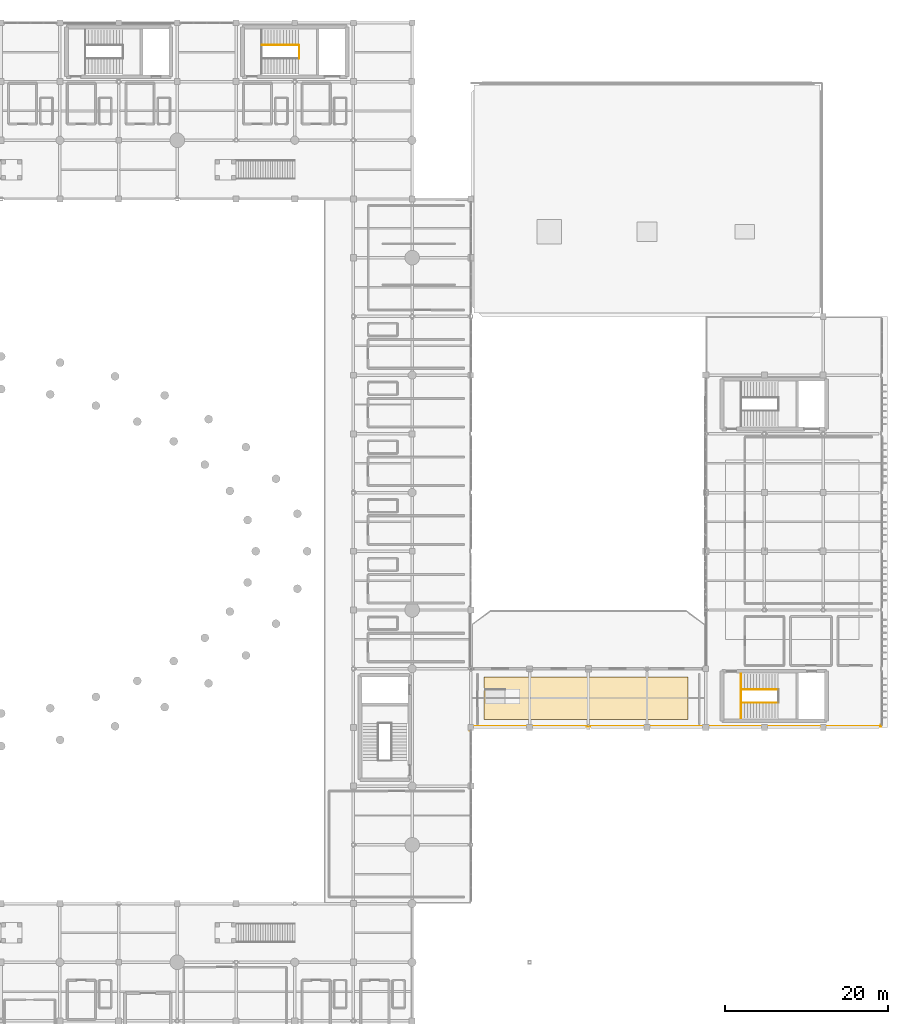
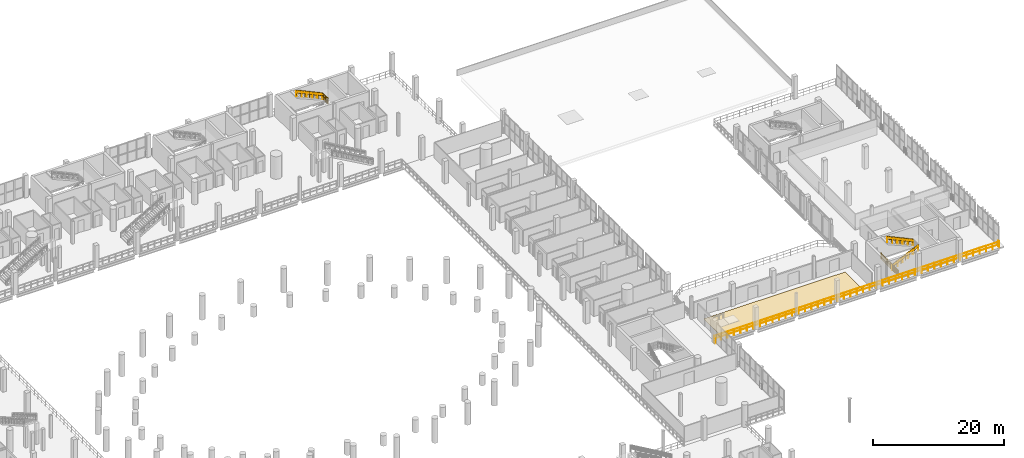
# One storey, part 127 of 130: 9 railings, 1 covering.
"""IFC4 building model written with IfcOpenShell, lengths in metres."""

from ifc_helpers import new_model, si_unit, direction, frame, origin, origin_2d, place, context, subcontext, project, spatial, polyline, circle, outline, extrude, material, layer, layer_set, type_object, element, save


model = new_model("IFC4")

# Units and contexts
model_context = context("Model", 3, precision=1e-05, world=origin(), true_north=direction((0.0, 1.0)))
body_context = subcontext(model_context, "Body", "Model", "MODEL_VIEW")
ifc_project = project(units=[si_unit("LENGTHUNIT", "METRE"), si_unit("AREAUNIT", "SQUARE_METRE"), si_unit("VOLUMEUNIT", "CUBIC_METRE"), si_unit("PLANEANGLEUNIT", "RADIAN"), si_unit("MASSUNIT", "GRAM", prefix="KILO")], contexts=[model_context])

# Site, building, storey
site_placement = place(None, origin())
site = spatial("IfcSite", under=ifc_project, at=site_placement, CompositionType="ELEMENT")
building_placement = place(site_placement, origin())
building = spatial("IfcBuilding", under=site, at=building_placement, Name="Qandorah Velis Arena", CompositionType="ELEMENT")
storey_placement = place(building_placement, frame((0.0, 0.0, 9.60009765625)))
storey = spatial("IfcBuildingStorey", under=building, at=storey_placement, Name="L02", CompositionType="ELEMENT", Elevation=9.60009765625)

# Covering
ifc_material_1 = material(Name="Polished Riyadh limestone terrazzo flooring", Category="masonry")
ifc_layer = layer(ifc_material_1, 0.034912109375)
ifc_layer_set = layer_set([ifc_layer], Name="Polished Riyadh limestone terrazzo flooring")
covering_type = type_object("IfcCoveringType", Name="ARC-COV-FLOOR", PredefinedType="FLOORING", material=ifc_layer_set)
covering_placement = place(storey_placement, origin())
element("IfcCovering", 1, at=covering_placement, inside=storey, type_object=covering_type, Name="Polished terrazzo concourse flooring TF-04", PredefinedType="FLOORING", context=body_context, shape_type="SweptSolid", body=[
    extrude(outline(polyline([(124.0, 44.199951171875), (149.0, 44.199951171875), (149.0, 49.39990234375), (124.0, 49.39990234375), (124.0, 44.199951171875)])), origin(), (0.0, 0.0, 1.0), 0.034912109375),
])

# Railings
ifc_material_2 = material(Name="Stainless steel 316", Category="steel")
railing_type_1 = type_object("IfcRailingType", Name="ARC-RL-GRD1150", PredefinedType="GUARDRAIL", material=ifc_material_2)
railing_1_placement = place(storey_placement, frame((155.510009765625, 44.360107421875, 0.0)))
element("IfcRailing", 2, at=railing_1_placement, inside=storey, type_object=railing_type_1, Name="Stair ST7 landing well-slot guardrail L02", PredefinedType="GUARDRAIL", context=body_context, shape_type="SweptSolid", body=[
    extrude(circle(Radius=0.02392578125, at=origin_2d()), frame((0.0, 0.0, 1.1259765625), z_axis=(0.0, 1.0, 0.0), x_axis=(-1.0, 0.0, 0.0)), (0.0, 0.0, 1.0), 5.3798828125),
    extrude(circle(Radius=0.02392578125, at=origin_2d()), frame((0.0, 0.0, 0.597900390625), z_axis=(0.0, 1.0, 0.0), x_axis=(-1.0, 0.0, 0.0)), (0.0, 0.0, 1.0), 5.3798828125),
    extrude(circle(Radius=0.02099609375, at=origin_2d()), origin(), (0.0, 0.0, 1.0), 1.101806640625),
    extrude(circle(Radius=0.02099609375, at=origin_2d()), frame((0.0, 0.298828125, 0.0)), (0.0, 0.0, 1.0), 1.101806640625),
    extrude(circle(Radius=0.02099609375, at=origin_2d()), frame((0.0, 0.59765625, 0.0)), (0.0, 0.0, 1.0), 1.101806640625),
    extrude(circle(Radius=0.02099609375, at=origin_2d()), frame((0.0, 0.896728515625, 0.0)), (0.0, 0.0, 1.0), 1.101806640625),
    extrude(circle(Radius=0.02099609375, at=origin_2d()), frame((0.0, 1.195556640625, 0.0)), (0.0, 0.0, 1.0), 1.101806640625),
    extrude(circle(Radius=0.02099609375, at=origin_2d()), frame((0.0, 1.494384765625, 0.0)), (0.0, 0.0, 1.0), 1.101806640625),
    extrude(circle(Radius=0.02099609375, at=origin_2d()), frame((0.0, 1.793212890625, 0.0)), (0.0, 0.0, 1.0), 1.101806640625),
    extrude(circle(Radius=0.02099609375, at=origin_2d()), frame((0.0, 2.09228515625, 0.0)), (0.0, 0.0, 1.0), 1.101806640625),
    extrude(circle(Radius=0.02099609375, at=origin_2d()), frame((0.0, 2.39111328125, 0.0)), (0.0, 0.0, 1.0), 1.101806640625),
    extrude(circle(Radius=0.02099609375, at=origin_2d()), frame((0.0, 2.68994140625, 0.0)), (0.0, 0.0, 1.0), 1.101806640625),
    extrude(circle(Radius=0.02099609375, at=origin_2d()), frame((0.0, 2.98876953125, 0.0)), (0.0, 0.0, 1.0), 1.101806640625),
    extrude(circle(Radius=0.02099609375, at=origin_2d()), frame((0.0, 3.28759765625, 0.0)), (0.0, 0.0, 1.0), 1.101806640625),
    extrude(circle(Radius=0.02099609375, at=origin_2d()), frame((0.0, 3.586669921875, 0.0)), (0.0, 0.0, 1.0), 1.101806640625),
    extrude(circle(Radius=0.02099609375, at=origin_2d()), frame((0.0, 3.885498046875, 0.0)), (0.0, 0.0, 1.0), 1.101806640625),
    extrude(circle(Radius=0.02099609375, at=origin_2d()), frame((0.0, 4.184326171875, 0.0)), (0.0, 0.0, 1.0), 1.101806640625),
    extrude(circle(Radius=0.02099609375, at=origin_2d()), frame((0.0, 4.483154296875, 0.0)), (0.0, 0.0, 1.0), 1.101806640625),
    extrude(circle(Radius=0.02099609375, at=origin_2d()), frame((0.0, 4.7822265625, 0.0)), (0.0, 0.0, 1.0), 1.101806640625),
    extrude(circle(Radius=0.02099609375, at=origin_2d()), frame((0.0, 5.0810546875, 0.0)), (0.0, 0.0, 1.0), 1.101806640625),
    extrude(circle(Radius=0.02099609375, at=origin_2d()), frame((0.0, 5.3798828125, 0.0)), (0.0, 0.0, 1.0), 1.101806640625),
])
railing_2_placement = place(storey_placement, frame((155.550048828125, 46.22998046875, 0.0)))
element("IfcRailing", 3, at=railing_2_placement, inside=storey, type_object=railing_type_1, Name="Stair ST7 inner flight 1 guardrail (L02)", PredefinedType="GUARDRAIL", context=body_context, shape_type="SweptSolid", body=[
    extrude(circle(Radius=0.02392578125, at=origin_2d()), frame((0.0, 0.0, 1.1259765625), z_axis=(0.907474148765, 0.0, 0.420107925805), x_axis=(0.0, 1.0, 0.0)), (0.0, 0.0, 1.0), 4.998291015625),
    extrude(circle(Radius=0.02392578125, at=origin_2d()), frame((0.0, 0.0, 0.597900390625), z_axis=(0.907474148765, 0.0, 0.420107925805), x_axis=(0.0, 1.0, 0.0)), (0.0, 0.0, 1.0), 4.998291015625),
    extrude(circle(Radius=0.02099609375, at=origin_2d()), origin(), (0.0, 0.0, 1.0), 1.101806640625),
    extrude(circle(Radius=0.02099609375, at=origin_2d()), frame((0.755859375, 0.0, 0.35009765625)), (0.0, 0.0, 1.0), 1.101806640625),
    extrude(circle(Radius=0.02099609375, at=origin_2d()), frame((1.511962890625, 0.0, 0.699951171875)), (0.0, 0.0, 1.0), 1.101806640625),
    extrude(circle(Radius=0.02099609375, at=origin_2d()), frame((2.26806640625, 0.0, 1.0498046875)), (0.0, 0.0, 1.0), 1.101806640625),
    extrude(circle(Radius=0.02099609375, at=origin_2d()), frame((3.02392578125, 0.0, 1.39990234375)), (0.0, 0.0, 1.0), 1.101806640625),
    extrude(circle(Radius=0.02099609375, at=origin_2d()), frame((3.77978515625, 0.0, 1.75)), (0.0, 0.0, 1.0), 1.101806640625),
    extrude(circle(Radius=0.02099609375, at=origin_2d()), frame((4.535888671875, 0.0, 2.099853515625)), (0.0, 0.0, 1.0), 1.101806640625),
])
railing_3_placement = place(storey_placement, frame((160.0859375, 47.8701171875, 2.099853515625)))
element("IfcRailing", 4, at=railing_3_placement, inside=storey, type_object=railing_type_1, Name="Stair ST7 inner flight 2 guardrail (L02)", PredefinedType="GUARDRAIL", context=body_context, shape_type="SweptSolid", body=[
    extrude(circle(Radius=0.02392578125, at=origin_2d()), frame((0.0, 0.0, 1.1259765625), z_axis=(-0.907455527081, 0.0, 0.420148148122), x_axis=(0.0, -1.0, 0.0)), (0.0, 0.0, 1.0), 4.99853515625),
    extrude(circle(Radius=0.02392578125, at=origin_2d()), frame((0.0, 0.0, 0.597900390625), z_axis=(-0.907455527081, 0.0, 0.420148148122), x_axis=(0.0, -1.0, 0.0)), (0.0, 0.0, 1.0), 4.99853515625),
    extrude(circle(Radius=0.02099609375, at=origin_2d()), origin(), (0.0, 0.0, 1.0), 1.101806640625),
    extrude(circle(Radius=0.02099609375, at=origin_2d()), frame((-0.755859375, 0.0, 0.35009765625)), (0.0, 0.0, 1.0), 1.101806640625),
    extrude(circle(Radius=0.02099609375, at=origin_2d()), frame((-1.511962890625, 0.0, 0.699951171875)), (0.0, 0.0, 1.0), 1.101806640625),
    extrude(circle(Radius=0.02099609375, at=origin_2d()), frame((-2.26806640625, 0.0, 1.050048828125)), (0.0, 0.0, 1.0), 1.101806640625),
    extrude(circle(Radius=0.02099609375, at=origin_2d()), frame((-3.02392578125, 0.0, 1.400146484375)), (0.0, 0.0, 1.0), 1.101806640625),
    extrude(circle(Radius=0.02099609375, at=origin_2d()), frame((-3.77978515625, 0.0, 1.75)), (0.0, 0.0, 1.0), 1.101806640625),
    extrude(circle(Radius=0.02099609375, at=origin_2d()), frame((-4.535888671875, 0.0, 2.10009765625)), (0.0, 0.0, 1.0), 1.101806640625),
])
railing_4_placement = place(storey_placement, frame((101.345947265625, 125.239990234375, 2.099853515625)))
element("IfcRailing", 5, at=railing_4_placement, inside=storey, type_object=railing_type_1, Name="Stair ST12 well guardrail (L02)", PredefinedType="GUARDRAIL", context=body_context, shape_type="SweptSolid", body=[
    extrude(circle(Radius=0.02392578125, at=origin_2d()), frame((0.0, 0.0, 1.1259765625), z_axis=(0.0, 1.0, 0.0), x_axis=(-1.0, 0.0, 0.0)), (0.0, 0.0, 1.0), 1.6201171875),
    extrude(circle(Radius=0.02392578125, at=origin_2d()), frame((0.0, 0.0, 0.597900390625), z_axis=(0.0, 1.0, 0.0), x_axis=(-1.0, 0.0, 0.0)), (0.0, 0.0, 1.0), 1.6201171875),
    extrude(circle(Radius=0.02099609375, at=origin_2d()), origin(), (0.0, 0.0, 1.0), 1.101806640625),
    extrude(circle(Radius=0.02099609375, at=origin_2d()), frame((0.0, 0.27001953125, 0.0)), (0.0, 0.0, 1.0), 1.101806640625),
    extrude(circle(Radius=0.02099609375, at=origin_2d()), frame((0.0, 0.5400390625, 0.0)), (0.0, 0.0, 1.0), 1.101806640625),
    extrude(circle(Radius=0.02099609375, at=origin_2d()), frame((0.0, 0.81005859375, 0.0)), (0.0, 0.0, 1.0), 1.101806640625),
    extrude(circle(Radius=0.02099609375, at=origin_2d()), frame((0.0, 1.080078125, 0.0)), (0.0, 0.0, 1.0), 1.101806640625),
    extrude(circle(Radius=0.02099609375, at=origin_2d()), frame((0.0, 1.35009765625, 0.0)), (0.0, 0.0, 1.0), 1.101806640625),
    extrude(circle(Radius=0.02099609375, at=origin_2d()), frame((0.0, 1.6201171875, 0.0)), (0.0, 0.0, 1.0), 1.101806640625),
])
railing_5_placement = place(storey_placement, frame((101.285888671875, 126.8701171875, 2.099853515625)))
element("IfcRailing", 6, at=railing_5_placement, inside=storey, type_object=railing_type_1, Name="Stair ST12 inner flight 2 guardrail (L02)", PredefinedType="GUARDRAIL", context=body_context, shape_type="SweptSolid", body=[
    extrude(circle(Radius=0.02392578125, at=origin_2d()), frame((0.0, 0.0, 1.1259765625), z_axis=(-0.907455527081, 0.0, 0.420148148122), x_axis=(0.0, -1.0, 0.0)), (0.0, 0.0, 1.0), 4.99853515625),
    extrude(circle(Radius=0.02392578125, at=origin_2d()), frame((0.0, 0.0, 0.597900390625), z_axis=(-0.907455527081, 0.0, 0.420148148122), x_axis=(0.0, -1.0, 0.0)), (0.0, 0.0, 1.0), 4.99853515625),
    extrude(circle(Radius=0.02099609375, at=origin_2d()), origin(), (0.0, 0.0, 1.0), 1.101806640625),
    extrude(circle(Radius=0.02099609375, at=origin_2d()), frame((-0.755859375, 0.0, 0.35009765625)), (0.0, 0.0, 1.0), 1.101806640625),
    extrude(circle(Radius=0.02099609375, at=origin_2d()), frame((-1.511962890625, 0.0, 0.699951171875)), (0.0, 0.0, 1.0), 1.101806640625),
    extrude(circle(Radius=0.02099609375, at=origin_2d()), frame((-2.26806640625, 0.0, 1.050048828125)), (0.0, 0.0, 1.0), 1.101806640625),
    extrude(circle(Radius=0.02099609375, at=origin_2d()), frame((-3.02392578125, 0.0, 1.400146484375)), (0.0, 0.0, 1.0), 1.101806640625),
    extrude(circle(Radius=0.02099609375, at=origin_2d()), frame((-3.77978515625, 0.0, 1.75)), (0.0, 0.0, 1.0), 1.101806640625),
    extrude(circle(Radius=0.02099609375, at=origin_2d()), frame((-4.535888671875, 0.0, 2.10009765625)), (0.0, 0.0, 1.0), 1.101806640625),
])
railing_6_placement = place(storey_placement, frame((172.699951171875, 43.5, 0.0)))
element("IfcRailing", 7, at=railing_6_placement, inside=storey, type_object=railing_type_1, Name="Slab edge safety guardrail L02-167", PredefinedType="GUARDRAIL", context=body_context, shape_type="SweptSolid", body=[
    extrude(circle(Radius=0.02392578125, at=origin_2d()), frame((0.0, 0.0, 1.1259765625), z_axis=(0.0, -1.0, 0.0), x_axis=(1.0, 0.0, 0.0)), (0.0, 0.0, 1.0), 0.199951171875),
    extrude(circle(Radius=0.02392578125, at=origin_2d()), frame((0.0, 0.0, 0.597900390625), z_axis=(0.0, -1.0, 0.0), x_axis=(1.0, 0.0, 0.0)), (0.0, 0.0, 1.0), 0.199951171875),
    extrude(circle(Radius=0.02392578125, at=origin_2d()), frame((0.0, -0.199951171875, 1.1259765625), z_axis=(-1.0, 0.0, 0.0), x_axis=(0.0, -1.0, 0.0)), (0.0, 0.0, 1.0), 50.300048828125),
    extrude(circle(Radius=0.02392578125, at=origin_2d()), frame((0.0, -0.199951171875, 0.597900390625), z_axis=(-1.0, 0.0, 0.0), x_axis=(0.0, -1.0, 0.0)), (0.0, 0.0, 1.0), 50.300048828125),
    extrude(circle(Radius=0.02392578125, at=origin_2d()), frame((-50.300048828125, -0.199951171875, 1.1259765625), z_axis=(-0.77215252196, -0.635437237523, 0.0), x_axis=(0.635437237523, -0.77215252196, 0.0)), (0.0, 0.0, 1.0), 0.126708984375),
    extrude(circle(Radius=0.02392578125, at=origin_2d()), frame((-50.300048828125, -0.199951171875, 0.597900390625), z_axis=(-0.77215252196, -0.635437237523, 0.0), x_axis=(0.635437237523, -0.77215252196, 0.0)), (0.0, 0.0, 1.0), 0.126708984375),
    extrude(circle(Radius=0.02392578125, at=origin_2d()), frame((-50.39794921875, -0.280517578125, 1.1259765625), z_axis=(-0.004950434389, -0.999987746525, 0.0), x_axis=(0.999987746525, -0.004950434389, 0.0)), (0.0, 0.0, 1.0), 0.39453125),
    extrude(circle(Radius=0.02392578125, at=origin_2d()), frame((-50.39794921875, -0.280517578125, 0.597900390625), z_axis=(-0.004950434389, -0.999987746525, 0.0), x_axis=(0.999987746525, -0.004950434389, 0.0)), (0.0, 0.0, 1.0), 0.39453125),
    extrude(circle(Radius=0.02099609375, at=origin_2d()), origin(), (0.0, 0.0, 1.0), 1.101806640625),
    extrude(circle(Radius=0.02099609375, at=origin_2d()), frame((0.0, -0.199951171875, 0.0)), (0.0, 0.0, 1.0), 1.101806640625),
    extrude(circle(Radius=0.02099609375, at=origin_2d()), frame((-1.14306640625, -0.199951171875, 0.0)), (0.0, 0.0, 1.0), 1.101806640625),
    extrude(circle(Radius=0.02099609375, at=origin_2d()), frame((-2.286376953125, -0.199951171875, 0.0)), (0.0, 0.0, 1.0), 1.101806640625),
    extrude(circle(Radius=0.02099609375, at=origin_2d()), frame((-3.429443359375, -0.199951171875, 0.0)), (0.0, 0.0, 1.0), 1.101806640625),
    extrude(circle(Radius=0.02099609375, at=origin_2d()), frame((-4.57275390625, -0.199951171875, 0.0)), (0.0, 0.0, 1.0), 1.101806640625),
    extrude(circle(Radius=0.02099609375, at=origin_2d()), frame((-5.7158203125, -0.199951171875, 0.0)), (0.0, 0.0, 1.0), 1.101806640625),
    extrude(circle(Radius=0.02099609375, at=origin_2d()), frame((-6.859130859375, -0.199951171875, 0.0)), (0.0, 0.0, 1.0), 1.101806640625),
    extrude(circle(Radius=0.02099609375, at=origin_2d()), frame((-8.002197265625, -0.199951171875, 0.0)), (0.0, 0.0, 1.0), 1.101806640625),
    extrude(circle(Radius=0.02099609375, at=origin_2d()), frame((-9.1455078125, -0.199951171875, 0.0)), (0.0, 0.0, 1.0), 1.101806640625),
    extrude(circle(Radius=0.02099609375, at=origin_2d()), frame((-10.28857421875, -0.199951171875, 0.0)), (0.0, 0.0, 1.0), 1.101806640625),
    extrude(circle(Radius=0.02099609375, at=origin_2d()), frame((-11.431884765625, -0.199951171875, 0.0)), (0.0, 0.0, 1.0), 1.101806640625),
    extrude(circle(Radius=0.02099609375, at=origin_2d()), frame((-12.574951171875, -0.199951171875, 0.0)), (0.0, 0.0, 1.0), 1.101806640625),
    extrude(circle(Radius=0.02099609375, at=origin_2d()), frame((-13.71826171875, -0.199951171875, 0.0)), (0.0, 0.0, 1.0), 1.101806640625),
    extrude(circle(Radius=0.02099609375, at=origin_2d()), frame((-14.861328125, -0.199951171875, 0.0)), (0.0, 0.0, 1.0), 1.101806640625),
    extrude(circle(Radius=0.02099609375, at=origin_2d()), frame((-16.004638671875, -0.199951171875, 0.0)), (0.0, 0.0, 1.0), 1.101806640625),
    extrude(circle(Radius=0.02099609375, at=origin_2d()), frame((-17.147705078125, -0.199951171875, 0.0)), (0.0, 0.0, 1.0), 1.101806640625),
    extrude(circle(Radius=0.02099609375, at=origin_2d()), frame((-18.291015625, -0.199951171875, 0.0)), (0.0, 0.0, 1.0), 1.101806640625),
    extrude(circle(Radius=0.02099609375, at=origin_2d()), frame((-19.43408203125, -0.199951171875, 0.0)), (0.0, 0.0, 1.0), 1.101806640625),
    extrude(circle(Radius=0.02099609375, at=origin_2d()), frame((-20.577392578125, -0.199951171875, 0.0)), (0.0, 0.0, 1.0), 1.101806640625),
    extrude(circle(Radius=0.02099609375, at=origin_2d()), frame((-21.720458984375, -0.199951171875, 0.0)), (0.0, 0.0, 1.0), 1.101806640625),
    extrude(circle(Radius=0.02099609375, at=origin_2d()), frame((-22.86376953125, -0.199951171875, 0.0)), (0.0, 0.0, 1.0), 1.101806640625),
    extrude(circle(Radius=0.02099609375, at=origin_2d()), frame((-24.0068359375, -0.199951171875, 0.0)), (0.0, 0.0, 1.0), 1.101806640625),
    extrude(circle(Radius=0.02099609375, at=origin_2d()), frame((-25.14990234375, -0.199951171875, 0.0)), (0.0, 0.0, 1.0), 1.101806640625),
    extrude(circle(Radius=0.02099609375, at=origin_2d()), frame((-26.293212890625, -0.199951171875, 0.0)), (0.0, 0.0, 1.0), 1.101806640625),
    extrude(circle(Radius=0.02099609375, at=origin_2d()), frame((-27.436279296875, -0.199951171875, 0.0)), (0.0, 0.0, 1.0), 1.101806640625),
    extrude(circle(Radius=0.02099609375, at=origin_2d()), frame((-28.57958984375, -0.199951171875, 0.0)), (0.0, 0.0, 1.0), 1.101806640625),
    extrude(circle(Radius=0.02099609375, at=origin_2d()), frame((-29.72265625, -0.199951171875, 0.0)), (0.0, 0.0, 1.0), 1.101806640625),
    extrude(circle(Radius=0.02099609375, at=origin_2d()), frame((-30.865966796875, -0.199951171875, 0.0)), (0.0, 0.0, 1.0), 1.101806640625),
    extrude(circle(Radius=0.02099609375, at=origin_2d()), frame((-32.009033203125, -0.199951171875, 0.0)), (0.0, 0.0, 1.0), 1.101806640625),
    extrude(circle(Radius=0.02099609375, at=origin_2d()), frame((-33.15234375, -0.199951171875, 0.0)), (0.0, 0.0, 1.0), 1.101806640625),
    extrude(circle(Radius=0.02099609375, at=origin_2d()), frame((-34.29541015625, -0.199951171875, 0.0)), (0.0, 0.0, 1.0), 1.101806640625),
    extrude(circle(Radius=0.02099609375, at=origin_2d()), frame((-35.438720703125, -0.199951171875, 0.0)), (0.0, 0.0, 1.0), 1.101806640625),
    extrude(circle(Radius=0.02099609375, at=origin_2d()), frame((-36.581787109375, -0.199951171875, 0.0)), (0.0, 0.0, 1.0), 1.101806640625),
    extrude(circle(Radius=0.02099609375, at=origin_2d()), frame((-37.72509765625, -0.199951171875, 0.0)), (0.0, 0.0, 1.0), 1.101806640625),
    extrude(circle(Radius=0.02099609375, at=origin_2d()), frame((-38.8681640625, -0.199951171875, 0.0)), (0.0, 0.0, 1.0), 1.101806640625),
    extrude(circle(Radius=0.02099609375, at=origin_2d()), frame((-40.011474609375, -0.199951171875, 0.0)), (0.0, 0.0, 1.0), 1.101806640625),
    extrude(circle(Radius=0.02099609375, at=origin_2d()), frame((-41.154541015625, -0.199951171875, 0.0)), (0.0, 0.0, 1.0), 1.101806640625),
    extrude(circle(Radius=0.02099609375, at=origin_2d()), frame((-42.2978515625, -0.199951171875, 0.0)), (0.0, 0.0, 1.0), 1.101806640625),
    extrude(circle(Radius=0.02099609375, at=origin_2d()), frame((-43.44091796875, -0.199951171875, 0.0)), (0.0, 0.0, 1.0), 1.101806640625),
    extrude(circle(Radius=0.02099609375, at=origin_2d()), frame((-44.584228515625, -0.199951171875, 0.0)), (0.0, 0.0, 1.0), 1.101806640625),
    extrude(circle(Radius=0.02099609375, at=origin_2d()), frame((-45.727294921875, -0.199951171875, 0.0)), (0.0, 0.0, 1.0), 1.101806640625),
    extrude(circle(Radius=0.02099609375, at=origin_2d()), frame((-46.87060546875, -0.199951171875, 0.0)), (0.0, 0.0, 1.0), 1.101806640625),
    extrude(circle(Radius=0.02099609375, at=origin_2d()), frame((-48.013671875, -0.199951171875, 0.0)), (0.0, 0.0, 1.0), 1.101806640625),
    extrude(circle(Radius=0.02099609375, at=origin_2d()), frame((-49.156982421875, -0.199951171875, 0.0)), (0.0, 0.0, 1.0), 1.101806640625),
    extrude(circle(Radius=0.02099609375, at=origin_2d()), frame((-50.300048828125, -0.199951171875, 0.0)), (0.0, 0.0, 1.0), 1.101806640625),
    extrude(circle(Radius=0.02099609375, at=origin_2d()), frame((-50.39794921875, -0.280517578125, 0.0)), (0.0, 0.0, 1.0), 1.101806640625),
    extrude(circle(Radius=0.02099609375, at=origin_2d()), frame((-50.39990234375, -0.675048828125, 0.0)), (0.0, 0.0, 1.0), 1.101806640625),
])
railing_type_2 = type_object("IfcRailingType", Name="ARC-RL-HND920", PredefinedType="HANDRAIL", material=ifc_material_2)
railing_7_placement = place(storey_placement, frame((155.550048828125, 46.22998046875, 0.0)))
element("IfcRailing", 8, at=railing_7_placement, inside=storey, type_object=railing_type_2, Name="Stair ST7 inner handrail 1 (L02)", PredefinedType="HANDRAIL", context=body_context, shape_type="SweptSolid", body=[
    extrude(circle(Radius=0.02392578125, at=origin_2d()), frame((0.0, 0.0, 0.89599609375), z_axis=(0.907474148765, 0.0, 0.420107925805), x_axis=(0.0, 1.0, 0.0)), (0.0, 0.0, 1.0), 4.998291015625),
    extrude(circle(Radius=0.02099609375, at=origin_2d()), origin(), (0.0, 0.0, 1.0), 0.871826171875),
    extrude(circle(Radius=0.02099609375, at=origin_2d()), frame((0.9072265625, 0.0, 0.419921875)), (0.0, 0.0, 1.0), 0.871826171875),
    extrude(circle(Radius=0.02099609375, at=origin_2d()), frame((1.814453125, 0.0, 0.83984375)), (0.0, 0.0, 1.0), 0.871826171875),
    extrude(circle(Radius=0.02099609375, at=origin_2d()), frame((2.721435546875, 0.0, 1.260009765625)), (0.0, 0.0, 1.0), 0.871826171875),
    extrude(circle(Radius=0.02099609375, at=origin_2d()), frame((3.628662109375, 0.0, 1.679931640625)), (0.0, 0.0, 1.0), 0.871826171875),
    extrude(circle(Radius=0.02099609375, at=origin_2d()), frame((4.535888671875, 0.0, 2.099853515625)), (0.0, 0.0, 1.0), 0.871826171875),
])
for number, where, name in (
    (9, (160.0859375, 47.8701171875, 2.099853515625), "Stair ST7 inner handrail 2 (L02)"),
    (10, (101.285888671875, 126.8701171875, 2.099853515625), "Stair ST12 inner handrail 2 (L02)"),
):
    element("IfcRailing", number, at=place(storey_placement, frame(where)), inside=storey, type_object=railing_type_2, Name=name, PredefinedType="HANDRAIL", context=body_context, shape_type="SweptSolid", body=[
        extrude(circle(Radius=0.02392578125, at=origin_2d()), frame((0.0, 0.0, 0.89599609375), z_axis=(-0.907455527081, 0.0, 0.420148148122), x_axis=(0.0, -1.0, 0.0)), (0.0, 0.0, 1.0), 4.99853515625),
        extrude(circle(Radius=0.02099609375, at=origin_2d()), origin(), (0.0, 0.0, 1.0), 0.871826171875),
        extrude(circle(Radius=0.02099609375, at=origin_2d()), frame((-0.9072265625, 0.0, 0.419921875)), (0.0, 0.0, 1.0), 0.871826171875),
        extrude(circle(Radius=0.02099609375, at=origin_2d()), frame((-1.814453125, 0.0, 0.840087890625)), (0.0, 0.0, 1.0), 0.871826171875),
        extrude(circle(Radius=0.02099609375, at=origin_2d()), frame((-2.721435546875, 0.0, 1.260009765625)), (0.0, 0.0, 1.0), 0.871826171875),
        extrude(circle(Radius=0.02099609375, at=origin_2d()), frame((-3.628662109375, 0.0, 1.68017578125)), (0.0, 0.0, 1.0), 0.871826171875),
        extrude(circle(Radius=0.02099609375, at=origin_2d()), frame((-4.535888671875, 0.0, 2.10009765625)), (0.0, 0.0, 1.0), 0.871826171875),
    ])

save(model, "model.ifc")
